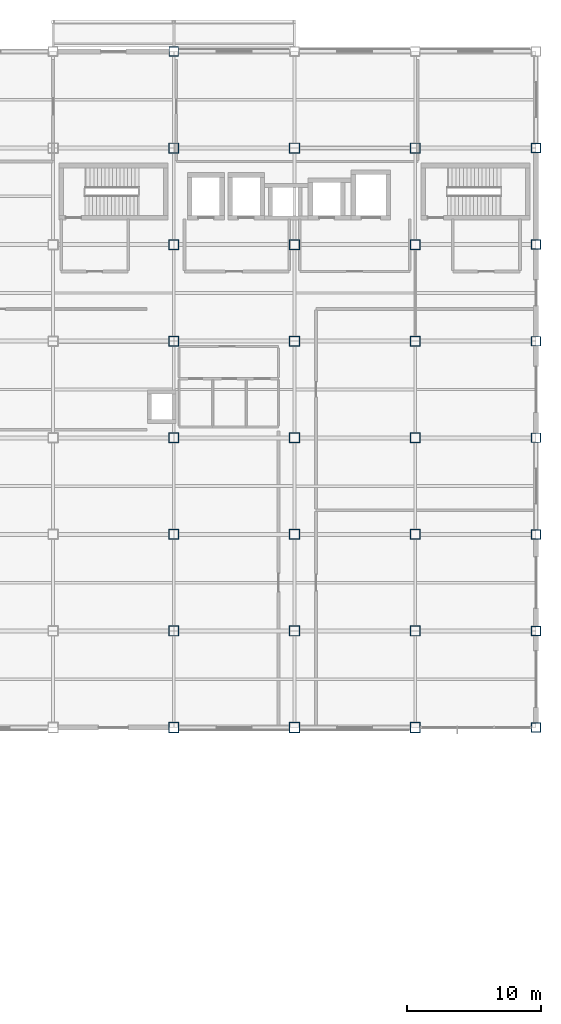
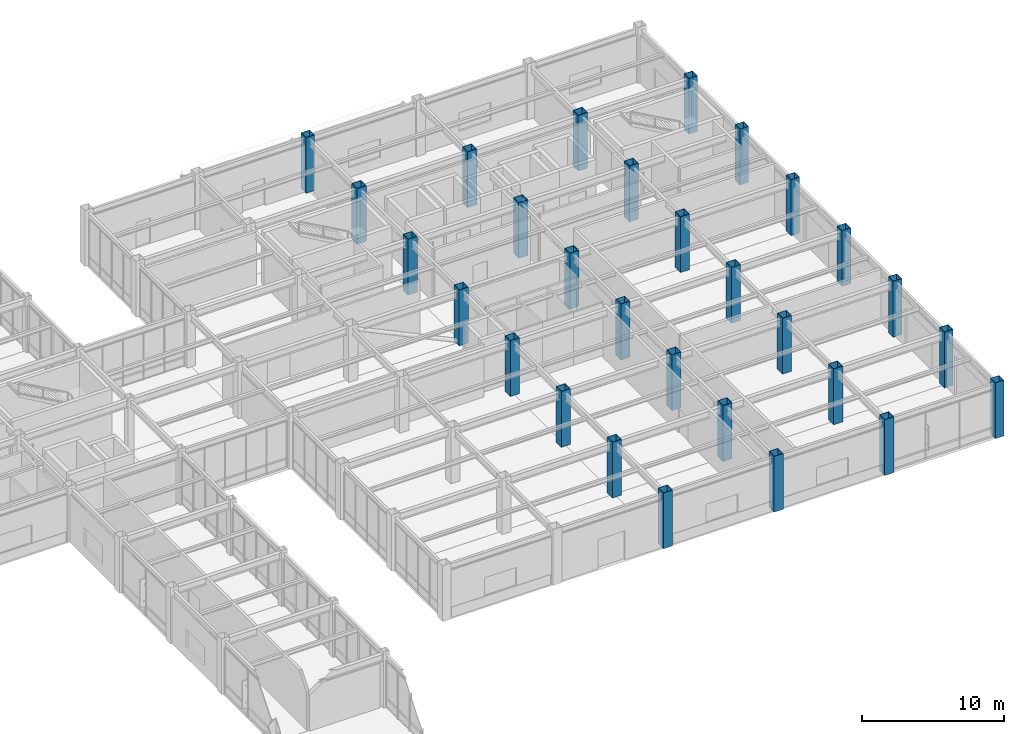
# One storey, part 11 of 112: 29 columns.
"""IFC4 building model written with IfcOpenShell, lengths in metres."""

from ifc_helpers import new_model, si_unit, direction, frame, origin, origin_2d, place, context, subcontext, project, spatial, hollow_rectangle, extrude, material, material_profile, profile_set, type_object, element, save


model = new_model("IFC4")

# Units and contexts
model_context = context("Model", 3, precision=1e-05, world=origin(), true_north=direction((0.0, 1.0)))
body_context = subcontext(model_context, "Body", "Model", "MODEL_VIEW")
ifc_project = project(units=[si_unit("LENGTHUNIT", "METRE"), si_unit("AREAUNIT", "SQUARE_METRE"), si_unit("VOLUMEUNIT", "CUBIC_METRE"), si_unit("PLANEANGLEUNIT", "RADIAN"), si_unit("MASSUNIT", "GRAM", prefix="KILO")], contexts=[model_context])

# Site, building, storey
site_placement = place(None, origin())
site = spatial("IfcSite", under=ifc_project, at=site_placement, CompositionType="ELEMENT")
building_placement = place(site_placement, origin())
building = spatial("IfcBuilding", under=site, at=building_placement, Name="Kazanami Central Library", CompositionType="ELEMENT")
storey_placement = place(building_placement, origin())
storey = spatial("IfcBuildingStorey", under=building, at=storey_placement, Name="L01", CompositionType="ELEMENT", Elevation=0.0)

# Columns
ifc_material = material(Name="Steel BCP325 (325 MPa)", Category="steel")
ifc_material_profile_1 = material_profile(ifc_material, hollow_rectangle(XDim=0.75, YDim=0.75, WallThickness=0.031982421875, at=origin_2d()), Name="BCP-750x750x32")
ifc_profile_set_1 = profile_set([ifc_material_profile_1], Name="Steel BCP325 (325 MPa)")
column_type_1 = type_object("IfcColumnType", Name="COL-C-T1I", PredefinedType="COLUMN", material=ifc_profile_set_1)
for number, where, z_axis, x_axis, name in (
    (1, (135.0, 43.199951171875, 0.0), (0.0, 0.0, 1.0), (1.0, 0.0, 0.0), "Column C-T1I L01 16/G"),
    (2, (135.0, 50.39990234375, 0.0), (0.0, 0.0, 1.0), (1.0, 0.0, 0.0), "Column C-T1I L01 16/H"),
    (3, (135.0, 57.60009765625, 0.0), (0.0, 0.0, 1.0), (1.0, 0.0, 0.0), "Column C-T1I L01 16/J"),
    (4, (135.0, 64.800048828125, 0.0), (0.0, 0.0, 1.0), (1.0, 0.0, 0.0), "Column C-T1I L01 16/K"),
    (5, (135.0, 72.0, 0.0), (0.0, 0.0, 1.0), (1.0, 0.0, 0.0), "Column C-T1I L01 16/L"),
    (6, (135.0, 79.199951171875, 0.0), (0.0, 0.0, 1.0), (1.0, 0.0, 0.0), "Column C-T1I L01 16/M"),
    (7, (135.0, 86.39990234375, 0.0), (0.0, 0.0, 1.0), (1.0, 0.0, 0.0), "Column C-T1I L01 16/N"),
    (8, (144.0, 43.199951171875, 0.0), (0.0, 0.0, 1.0), (1.0, 0.0, 0.0), "Column C-T1I L01 17/G"),
    (9, (144.0, 50.39990234375, 0.0), (0.0, 0.0, 1.0), (1.0, 0.0, 0.0), "Column C-T1I L01 17/H"),
    (10, (144.0, 57.60009765625, 0.0), (0.0, 0.0, 1.0), (1.0, 0.0, 0.0), "Column C-T1I L01 17/J"),
    (11, (144.0, 64.800048828125, 0.0), (0.0, 0.0, 1.0), (1.0, 0.0, 0.0), "Column C-T1I L01 17/K"),
    (12, (144.0, 72.0, 0.0), (0.0, 0.0, 1.0), (1.0, 0.0, 0.0), "Column C-T1I L01 17/L"),
    (13, (144.0, 79.199951171875, 0.0), (0.0, 0.0, 1.0), (1.0, 0.0, 0.0), "Column C-T1I L01 17/M"),
    (14, (144.0, 86.39990234375, 0.0), (0.0, 0.0, 1.0), (1.0, 0.0, 0.0), "Column C-T1I L01 17/N"),
    (15, (153.0, 43.199951171875, 0.0), (0.0, 0.0, 1.0), (1.0, 0.0, 0.0), "Column C-T1I L01 18/G"),
    (16, (153.0, 50.39990234375, 0.0), (0.0, 0.0, 1.0), (1.0, 0.0, 0.0), "Column C-T1I L01 18/H"),
    (17, (153.0, 57.60009765625, 0.0), (0.0, 0.0, 1.0), (1.0, 0.0, 0.0), "Column C-T1I L01 18/J"),
    (18, (153.0, 64.800048828125, 0.0), (0.0, 0.0, 1.0), (1.0, 0.0, 0.0), "Column C-T1I L01 18/K"),
    (19, (153.0, 72.0, 0.0), (0.0, 0.0, 1.0), (1.0, 0.0, 0.0), "Column C-T1I L01 18/L"),
    (20, (153.0, 79.199951171875, 0.0), (0.0, 0.0, 1.0), (1.0, 0.0, 0.0), "Column C-T1I L01 18/M"),
    (21, (153.0, 86.39990234375, 0.0), (0.0, 0.0, 1.0), (1.0, 0.0, 0.0), "Column C-T1I L01 18/N"),
):
    element("IfcColumn", number, at=place(storey_placement, frame(where, z_axis=z_axis, x_axis=x_axis)), inside=storey, type_object=column_type_1, Name=name, PredefinedType="COLUMN", context=body_context, shape_type="SweptSolid", body=[
        extrude(hollow_rectangle(XDim=0.75, YDim=0.75, WallThickness=0.031982421875, at=origin_2d()), origin(), (0.0, 0.0, 1.0), 4.800048828125),
    ])
ifc_material_profile_2 = material_profile(ifc_material, hollow_rectangle(XDim=0.699951171875, YDim=0.699951171875, WallThickness=0.028076171875, at=origin_2d()), Name="BCP-700x700x28")
ifc_profile_set_2 = profile_set([ifc_material_profile_2], Name="Steel BCP325 (325 MPa)")
column_type_2 = type_object("IfcColumnType", Name="COL-C-T1P", PredefinedType="COLUMN", material=ifc_profile_set_2)
for number, where, z_axis, x_axis, name in (
    (22, (135.0, 93.60009765625, 0.0), (0.0, 0.0, 1.0), (1.0, 0.0, 0.0), "Column C-T1P L01 16/O"),
    (23, (162.0, 43.199951171875, 0.0), (0.0, 0.0, 1.0), (1.0, 0.0, 0.0), "Column C-T1P L01 19/G"),
    (24, (162.0, 50.39990234375, 0.0), (0.0, 0.0, 1.0), (1.0, 0.0, 0.0), "Column C-T1P L01 19/H"),
    (25, (162.0, 57.60009765625, 0.0), (0.0, 0.0, 1.0), (1.0, 0.0, 0.0), "Column C-T1P L01 19/J"),
    (26, (162.0, 64.800048828125, 0.0), (0.0, 0.0, 1.0), (1.0, 0.0, 0.0), "Column C-T1P L01 19/K"),
    (27, (162.0, 72.0, 0.0), (0.0, 0.0, 1.0), (1.0, 0.0, 0.0), "Column C-T1P L01 19/L"),
    (28, (162.0, 79.199951171875, 0.0), (0.0, 0.0, 1.0), (1.0, 0.0, 0.0), "Column C-T1P L01 19/M"),
    (29, (162.0, 86.39990234375, 0.0), (0.0, 0.0, 1.0), (1.0, 0.0, 0.0), "Column C-T1P L01 19/N"),
):
    element("IfcColumn", number, at=place(storey_placement, frame(where, z_axis=z_axis, x_axis=x_axis)), inside=storey, type_object=column_type_2, Name=name, PredefinedType="COLUMN", context=body_context, shape_type="SweptSolid", body=[
        extrude(hollow_rectangle(XDim=0.699951171875, YDim=0.699951171875, WallThickness=0.028076171875, at=origin_2d()), origin(), (0.0, 0.0, 1.0), 4.800048828125),
    ])

save(model, "model.ifc")
